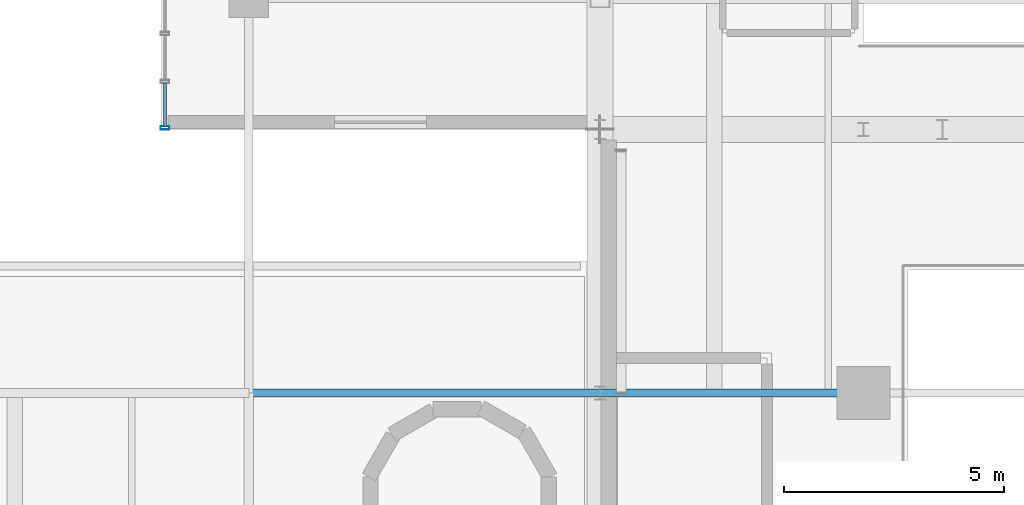
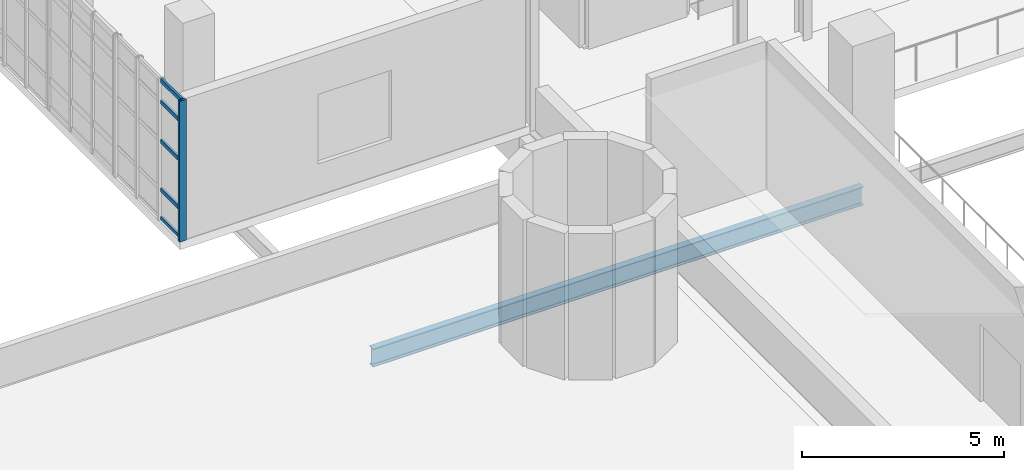
# One storey, part 24 of 85: 6 members, 1 beam, 1 element without a shape of its own.
"""IFC4 building model written with IfcOpenShell, lengths in metres."""

from ifc_helpers import new_model, si_unit, derived_unit, direction, frame, origin, origin_2d, place, context, subcontext, project, spatial, hollow_rectangle, i_section, extrude, material, layer, layer_set, material_profile, profile_set, type_object, element, aggregate, save


model = new_model("IFC4")

# Units and contexts
model_context = context("Model", 3, precision=1e-05, world=origin(), true_north=direction((0.0, 1.0)))
body_context = subcontext(model_context, "Body", "Model", "MODEL_VIEW")
ifc_project = project(units=[si_unit("LENGTHUNIT", "METRE"), si_unit("AREAUNIT", "SQUARE_METRE"), si_unit("VOLUMEUNIT", "CUBIC_METRE"), si_unit("PLANEANGLEUNIT", "RADIAN"), si_unit("MASSUNIT", "GRAM", prefix="KILO"), derived_unit("THERMALTRANSMITTANCEUNIT", [(si_unit("POWERUNIT", "WATT"), 1), (si_unit("LENGTHUNIT", "METRE"), -2), (si_unit("THERMODYNAMICTEMPERATUREUNIT", "KELVIN"), -1)])], contexts=[model_context])

# Site, building, storey
site_placement = place(None, origin())
site = spatial("IfcSite", under=ifc_project, at=site_placement, CompositionType="ELEMENT")
building_placement = place(site_placement, origin())
building = spatial("IfcBuilding", under=site, at=building_placement, Name="Nallur Shell Playhouse", CompositionType="ELEMENT")
storey_placement = place(building_placement, frame((0.0, 0.0, 19.800048828125)))
storey = spatial("IfcBuildingStorey", under=building, at=storey_placement, Name="L05", CompositionType="ELEMENT", Elevation=19.800048828125)

# Beam
ifc_material_1 = material(Name="Steel E350", Category="steel")
ifc_material_profile_1 = material_profile(ifc_material_1, i_section(OverallWidth=0.18994140625, OverallDepth=0.550048828125, WebThickness=0.01123046875, FlangeThickness=0.019287109375, FilletRadius=0.01806640625, at=origin_2d()), Name="ISMB 550")
ifc_profile_set_1 = profile_set([ifc_material_profile_1], Name="Steel E350")
beam_type = type_object("IfcBeamType", Name="BM-ST-ISMB550", PredefinedType="BEAM", material=ifc_profile_set_1)
beam_placement = place(storey_placement, frame((56.0, 41.0, -0.525146484375), z_axis=(1.0, 0.0, 0.0), x_axis=(0.0, 1.0, 0.0)))
element("IfcBeam", 1, at=beam_placement, inside=storey, type_object=beam_type, Name="L05 girder X-E-953", PredefinedType="BEAM", context=body_context, shape_type="SweptSolid", body=[
    extrude(i_section(OverallWidth=0.18994140625, OverallDepth=0.550048828125, WebThickness=0.01123046875, FlangeThickness=0.019287109375, FilletRadius=0.01806640625, at=origin_2d()), origin(), (0.0, 0.0, 1.0), 14.0),
])

# Curtain wall, members
ifc_material_2 = material(Name="Anodised Aluminium Double-Glazed Facade System", Category="aluminium")
ifc_layer = layer(ifc_material_2, 0.179931640625)
ifc_layer_set = layer_set([ifc_layer], Name="Anodised Aluminium Double-Glazed Facade System")
curtain_wall_type = type_object("IfcCurtainWallType", Name="CW-UNIT-05", PredefinedType="NOTDEFINED", material=ifc_layer_set)
curtain_wall_placement = place(storey_placement, origin())
curtain_wall = element("IfcCurtainWall", 2, at=curtain_wall_placement, inside=storey, type_object=curtain_wall_type, Name="Unitised curtain wall CW-165 (L05)", PredefinedType="NOTDEFINED")
ifc_material_3 = material(Name="Aluminium Alloy 6063-T6 Mullion", Category="aluminium")
ifc_material_profile_2 = material_profile(ifc_material_3, hollow_rectangle(XDim=0.074951171875, YDim=0.199951171875, WallThickness=0.0048828125, at=origin_2d()), Name="ALU 75x200x5")
ifc_profile_set_2 = profile_set([ifc_material_profile_2], Name="Aluminium Alloy 6063-T6 Mullion")
member_type_1 = type_object("IfcMemberType", Name="MB-CW-MUL180", PredefinedType="MULLION", material=ifc_profile_set_2)
member_1_placement = place(storey_placement, frame((54.090087890625, 47.03759765625, -0.01513671875), z_axis=(0.0, 0.0, 1.0), x_axis=(0.0, 1.0, 0.0)))
member_1 = element("IfcMember", 3, at=member_1_placement, type_object=member_type_1, Name="CW-05 mullion 1", PredefinedType="MULLION", context=body_context, shape_type="SweptSolid", body=[
    extrude(hollow_rectangle(XDim=0.074951171875, YDim=0.199951171875, WallThickness=0.0048828125, at=origin_2d()), origin(), (0.0, 0.0, 1.0), 4.2490234375),
])
ifc_material_4 = material(Name="Aluminium Alloy 6063-T6 Transom", Category="aluminium")
ifc_material_profile_3 = material_profile(ifc_material_4, hollow_rectangle(XDim=0.06494140625, YDim=0.1201171875, WallThickness=0.00390625, at=origin_2d()), Name="ALU 65x120x4")
ifc_profile_set_3 = profile_set([ifc_material_profile_3], Name="Aluminium Alloy 6063-T6 Transom")
member_type_2 = type_object("IfcMemberType", Name="MB-CW-TRN120", PredefinedType="USERDEFINED", material=ifc_profile_set_3)
member_2_placement = place(storey_placement, frame((54.090087890625, 47.06689453125, 0.032470703125), z_axis=(0.0, 1.0, 0.0), x_axis=(-1.0, 0.0, 0.0)))
member_2 = element("IfcMember", 4, at=member_2_placement, type_object=member_type_2, Name="CW-05 transom 1.1", ObjectType="TRANSOM", PredefinedType="USERDEFINED", context=body_context, shape_type="SweptSolid", body=[
    extrude(hollow_rectangle(XDim=0.06494140625, YDim=0.1201171875, WallThickness=0.00390625, at=origin_2d()), origin(), (0.0, 0.0, 1.0), 0.9970703125),
])
member_3_placement = place(storey_placement, frame((54.090087890625, 47.06689453125, 0.89990234375), z_axis=(0.0, 1.0, 0.0), x_axis=(-1.0, 0.0, 0.0)))
member_3 = element("IfcMember", 5, at=member_3_placement, type_object=member_type_2, Name="CW-05 transom 1.2", ObjectType="TRANSOM", PredefinedType="USERDEFINED", context=body_context, shape_type="SweptSolid", body=[
    extrude(hollow_rectangle(XDim=0.06494140625, YDim=0.1201171875, WallThickness=0.00390625, at=origin_2d()), origin(), (0.0, 0.0, 1.0), 0.9970703125),
])
member_4_placement = place(storey_placement, frame((54.090087890625, 47.06689453125, 2.368896484375), z_axis=(0.0, 1.0, 0.0), x_axis=(-1.0, 0.0, 0.0)))
member_4 = element("IfcMember", 6, at=member_4_placement, type_object=member_type_2, Name="CW-05 transom 1.3", ObjectType="TRANSOM", PredefinedType="USERDEFINED", context=body_context, shape_type="SweptSolid", body=[
    extrude(hollow_rectangle(XDim=0.06494140625, YDim=0.1201171875, WallThickness=0.00390625, at=origin_2d()), origin(), (0.0, 0.0, 1.0), 0.9970703125),
])
member_5_placement = place(storey_placement, frame((54.090087890625, 47.06689453125, 3.550048828125), z_axis=(0.0, 1.0, 0.0), x_axis=(-1.0, 0.0, 0.0)))
member_5 = element("IfcMember", 7, at=member_5_placement, type_object=member_type_2, Name="CW-05 transom 1.4", ObjectType="TRANSOM", PredefinedType="USERDEFINED", context=body_context, shape_type="SweptSolid", body=[
    extrude(hollow_rectangle(XDim=0.06494140625, YDim=0.1201171875, WallThickness=0.00390625, at=origin_2d()), origin(), (0.0, 0.0, 1.0), 0.9970703125),
])
member_6_placement = place(storey_placement, frame((54.090087890625, 47.06689453125, 4.197509765625), z_axis=(0.0, 1.0, 0.0), x_axis=(-1.0, 0.0, 0.0)))
member_6 = element("IfcMember", 8, at=member_6_placement, type_object=member_type_2, Name="CW-05 transom 1.5", ObjectType="TRANSOM", PredefinedType="USERDEFINED", context=body_context, shape_type="SweptSolid", body=[
    extrude(hollow_rectangle(XDim=0.06494140625, YDim=0.1201171875, WallThickness=0.00390625, at=origin_2d()), origin(), (0.0, 0.0, 1.0), 0.9970703125),
])
aggregate(curtain_wall, [member_1, member_2, member_3, member_4, member_5, member_6])

save(model, "model.ifc")
